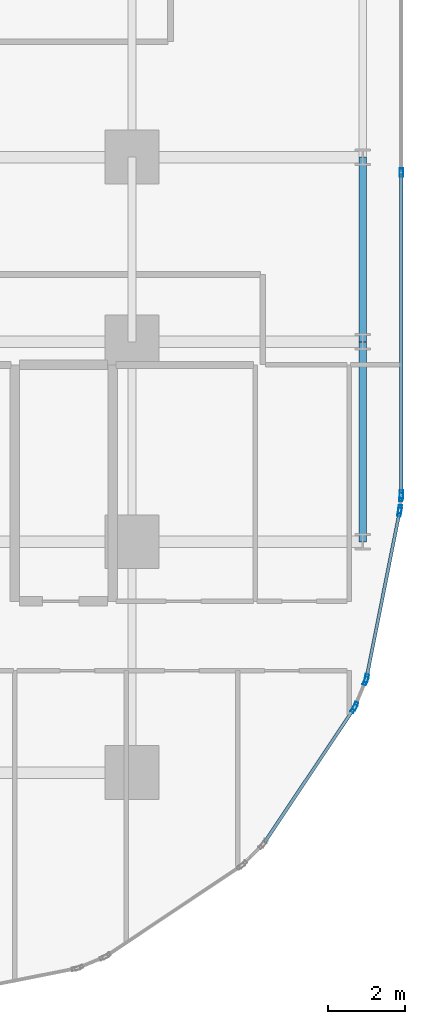
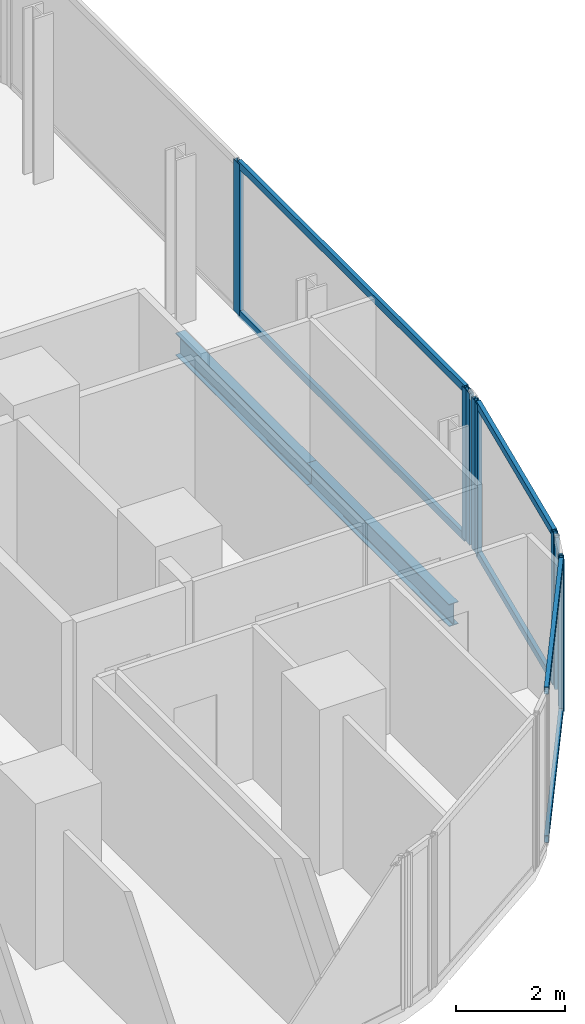
# One storey, part 18 of 33: 15 members, 2 beams, 5 elements without a shape of their own.
"""IFC4 building model written with IfcOpenShell, lengths in metres."""

from ifc_helpers import new_model, si_unit, direction, frame, origin, origin_2d, place, context, subcontext, project, spatial, hollow_rectangle, i_section, extrude, material, layer, layer_set, material_profile, profile_set, type_object, element, aggregate, save


model = new_model("IFC4")

# Units and contexts
model_context = context("Model", 3, precision=1e-05, world=origin(), true_north=direction((0.0, 1.0)))
body_context = subcontext(model_context, "Body", "Model", "MODEL_VIEW")
ifc_project = project(units=[si_unit("LENGTHUNIT", "METRE"), si_unit("AREAUNIT", "SQUARE_METRE"), si_unit("VOLUMEUNIT", "CUBIC_METRE"), si_unit("PLANEANGLEUNIT", "RADIAN"), si_unit("MASSUNIT", "GRAM", prefix="KILO")], contexts=[model_context])

# Site, building, storey
site_placement = place(None, origin())
site = spatial("IfcSite", under=ifc_project, at=site_placement, CompositionType="ELEMENT")
building_placement = place(site_placement, origin())
building = spatial("IfcBuilding", under=site, at=building_placement, Name="Keshet Zoharim Tower", CompositionType="ELEMENT")
storey_placement = place(building_placement, frame((0.0, 0.0, 27.699951171875)))
storey = spatial("IfcBuildingStorey", under=building, at=storey_placement, Name="L05", CompositionType="ELEMENT", Elevation=27.699951171875)

# Beams
ifc_material_1 = material(Name="Steel S355", Category="steel")
ifc_material_profile_1 = material_profile(ifc_material_1, i_section(OverallWidth=0.199951171875, OverallDepth=0.5, WebThickness=0.01025390625, FlangeThickness=0.01611328125, FilletRadius=0.02099609375, at=origin_2d()), Name="IPE500")
ifc_profile_set_1 = profile_set([ifc_material_profile_1], Name="Steel S355")
beam_type = type_object("IfcBeamType", Name="BM-PRI-IP500", PredefinedType="BEAM", material=ifc_profile_set_1)
beam_1_placement = place(storey_placement, frame((69.0, 12.699951171875, -0.56494140625), z_axis=(0.0, 1.0, 0.0), x_axis=(-1.0, 0.0, 0.0)))
element("IfcBeam", 1, at=beam_1_placement, inside=storey, type_object=beam_type, Name="L05 Primary Girder Y-023", PredefinedType="BEAM", context=body_context, shape_type="SweptSolid", body=[
    extrude(i_section(OverallWidth=0.199951171875, OverallDepth=0.5, WebThickness=0.01025390625, FlangeThickness=0.01611328125, FilletRadius=0.02099609375, at=origin_2d()), origin(), (0.0, 0.0, 1.0), 5.199951171875),
])
beam_2_placement = place(storey_placement, frame((69.0, 17.89990234375, -0.56494140625), z_axis=(0.0, 1.0, 0.0), x_axis=(-1.0, 0.0, 0.0)))
element("IfcBeam", 2, at=beam_2_placement, inside=storey, type_object=beam_type, Name="L05 Primary Girder Y-024", PredefinedType="BEAM", context=body_context, shape_type="SweptSolid", body=[
    extrude(i_section(OverallWidth=0.199951171875, OverallDepth=0.5, WebThickness=0.01025390625, FlangeThickness=0.01611328125, FilletRadius=0.02099609375, at=origin_2d()), origin(), (0.0, 0.0, 1.0), 4.800048828125),
])

# Curtain wall, members
ifc_material_2 = material(Name="Aluminium 6063-T6", Category="aluminium")
ifc_layer_1 = layer(ifc_material_2, 0.169921875)
ifc_layer_set_1 = layer_set([ifc_layer_1], Name="Aluminium 6063-T6")
curtain_wall_type_1 = type_object("IfcCurtainWallType", Name="CW-SYS-02", PredefinedType="NOTDEFINED", material=ifc_layer_set_1)
curtain_wall_1_placement = place(storey_placement, origin())
curtain_wall_1 = element("IfcCurtainWall", 3, at=curtain_wall_1_placement, inside=storey, type_object=curtain_wall_type_1, Name="L05 Unitised Curtain Wall 16", PredefinedType="NOTDEFINED")
ifc_material_profile_2 = material_profile(ifc_material_2, hollow_rectangle(XDim=0.090087890625, YDim=0.219970703125, WallThickness=0.0048828125, at=origin_2d()), Name="MUL-90x220")
ifc_profile_set_2 = profile_set([ifc_material_profile_2], Name="Aluminium 6063-T6")
member_type_1 = type_object("IfcMemberType", Name="CWM-M22", PredefinedType="MULLION", material=ifc_profile_set_2)
member_1_placement = place(storey_placement, frame((70.0, 22.298583984375, 0.0), z_axis=(0.0, 0.0, 1.0), x_axis=(1.0, 0.0, 0.0)))
member_1 = element("IfcMember", 4, at=member_1_placement, type_object=member_type_1, Name="CW-02 mullion 2", PredefinedType="MULLION", context=body_context, shape_type="SweptSolid", body=[
    extrude(hollow_rectangle(XDim=0.090087890625, YDim=0.219970703125, WallThickness=0.0048828125, at=origin_2d()), origin(), (0.0, 0.0, 1.0), 3.385009765625),
])
member_2_placement = place(storey_placement, frame((70.0, 13.931884765625, 0.0), z_axis=(0.0, 0.0, 1.0), x_axis=(1.0, 0.0, 0.0)))
member_2 = element("IfcMember", 5, at=member_2_placement, type_object=member_type_1, Name="CW-02 mullion 3", PredefinedType="MULLION", context=body_context, shape_type="SweptSolid", body=[
    extrude(hollow_rectangle(XDim=0.090087890625, YDim=0.219970703125, WallThickness=0.0048828125, at=origin_2d()), origin(), (0.0, 0.0, 1.0), 3.385009765625),
])

curtain_wall_2_placement = place(storey_placement, origin())
curtain_wall_2 = element("IfcCurtainWall", 6, at=curtain_wall_2_placement, inside=storey, type_object=curtain_wall_type_1, Name="L05 Unitised Curtain Wall 17", PredefinedType="NOTDEFINED")
member_3_placement = place(storey_placement, frame((69.99658203125, 13.862060546875, 0.0), z_axis=(0.0, 0.0, 1.0), x_axis=(0.995286657009, -0.096976648633, 0.0)))
member_3 = element("IfcMember", 7, at=member_3_placement, type_object=member_type_1, Name="CW-02 mullion 1", PredefinedType="MULLION", context=body_context, shape_type="SweptSolid", body=[
    extrude(hollow_rectangle(XDim=0.090087890625, YDim=0.219970703125, WallThickness=0.0048828125, at=origin_2d()), origin(), (0.0, 0.0, 1.0), 3.385009765625),
])
member_4_placement = place(storey_placement, frame((69.96533203125, 13.541748046875, 0.0), z_axis=(0.0, 0.0, 1.0), x_axis=(0.995286657009, -0.096976648633, 0.0)))
member_4 = element("IfcMember", 8, at=member_4_placement, type_object=member_type_1, Name="CW-02 mullion 2", PredefinedType="MULLION", context=body_context, shape_type="SweptSolid", body=[
    extrude(hollow_rectangle(XDim=0.090087890625, YDim=0.219970703125, WallThickness=0.0048828125, at=origin_2d()), origin(), (0.0, 0.0, 1.0), 3.385009765625),
])
aggregate(curtain_wall_2, [member_3, member_4])

curtain_wall_3_placement = place(storey_placement, origin())
curtain_wall_3 = element("IfcCurtainWall", 9, at=curtain_wall_3_placement, inside=storey, type_object=curtain_wall_type_1, Name="L05 Unitised Curtain Wall 18", PredefinedType="NOTDEFINED")
member_5_placement = place(storey_placement, frame((69.955078125, 13.47265625, 0.0), z_axis=(0.0, 0.0, 1.0), x_axis=(0.98076917357, -0.195171279072, 0.0)))
member_5 = element("IfcMember", 10, at=member_5_placement, type_object=member_type_1, Name="CW-02 mullion 1", PredefinedType="MULLION", context=body_context, shape_type="SweptSolid", body=[
    extrude(hollow_rectangle(XDim=0.090087890625, YDim=0.219970703125, WallThickness=0.0048828125, at=origin_2d()), origin(), (0.0, 0.0, 1.0), 3.385009765625),
])
member_6_placement = place(storey_placement, frame((69.0947265625, 9.1494140625, 0.0), z_axis=(0.0, 0.0, 1.0), x_axis=(0.98076917357, -0.195171279072, 0.0)))
member_6 = element("IfcMember", 11, at=member_6_placement, type_object=member_type_1, Name="CW-02 mullion 2", PredefinedType="MULLION", context=body_context, shape_type="SweptSolid", body=[
    extrude(hollow_rectangle(XDim=0.090087890625, YDim=0.219970703125, WallThickness=0.0048828125, at=origin_2d()), origin(), (0.0, 0.0, 1.0), 3.385009765625),
])

ifc_layer_2 = layer(ifc_material_2, 0.179931640625)
ifc_layer_set_2 = layer_set([ifc_layer_2], Name="Aluminium 6063-T6")
curtain_wall_type_2 = type_object("IfcCurtainWallType", Name="CW-SYS-01", PredefinedType="NOTDEFINED", material=ifc_layer_set_2)
curtain_wall_4_placement = place(storey_placement, origin())
curtain_wall_4 = element("IfcCurtainWall", 12, at=curtain_wall_4_placement, inside=storey, type_object=curtain_wall_type_2, Name="L05 Unitised Curtain Wall 19", PredefinedType="NOTDEFINED")
member_7_placement = place(storey_placement, frame((69.07470703125, 9.082763671875, 0.0), z_axis=(0.0, 0.0, 1.0), x_axis=(0.923720000557, -0.383068349739, 0.0)))
member_7 = element("IfcMember", 13, at=member_7_placement, type_object=member_type_1, Name="CW-01 mullion 1", PredefinedType="MULLION", context=body_context, shape_type="SweptSolid", body=[
    extrude(hollow_rectangle(XDim=0.090087890625, YDim=0.219970703125, WallThickness=0.0048828125, at=origin_2d()), origin(), (0.0, 0.0, 1.0), 3.385009765625),
])
member_8_placement = place(storey_placement, frame((68.802490234375, 8.42626953125, 0.0), z_axis=(0.0, 0.0, 1.0), x_axis=(0.923720000557, -0.383068349739, 0.0)))
member_8 = element("IfcMember", 14, at=member_8_placement, type_object=member_type_1, Name="CW-01 mullion 2", PredefinedType="MULLION", context=body_context, shape_type="SweptSolid", body=[
    extrude(hollow_rectangle(XDim=0.090087890625, YDim=0.219970703125, WallThickness=0.0048828125, at=origin_2d()), origin(), (0.0, 0.0, 1.0), 3.385009765625),
])
aggregate(curtain_wall_4, [member_7, member_8])

# Curtain wall, member
curtain_wall_5_placement = place(storey_placement, origin())
curtain_wall_5 = element("IfcCurtainWall", 15, at=curtain_wall_5_placement, inside=storey, type_object=curtain_wall_type_2, Name="L05 Unitised Curtain Wall 20", PredefinedType="NOTDEFINED")
member_9_placement = place(storey_placement, frame((68.76953125, 8.364990234375, 0.0), z_axis=(0.0, 0.0, 1.0), x_axis=(0.831474282335, -0.555563243758, 0.0)))
member_9 = element("IfcMember", 16, at=member_9_placement, type_object=member_type_1, Name="CW-01 mullion 1", PredefinedType="MULLION", context=body_context, shape_type="SweptSolid", body=[
    extrude(hollow_rectangle(XDim=0.090087890625, YDim=0.219970703125, WallThickness=0.0048828125, at=origin_2d()), origin(), (0.0, 0.0, 1.0), 3.385009765625),
])

# Member
ifc_material_profile_3 = material_profile(ifc_material_2, hollow_rectangle(XDim=0.0849609375, YDim=0.159912109375, WallThickness=0.00439453125, at=origin_2d()), Name="TRN-85x160")
ifc_profile_set_3 = profile_set([ifc_material_profile_3], Name="Aluminium 6063-T6")
member_type_2 = type_object("IfcMemberType", Name="CWT-T16", PredefinedType="USERDEFINED", material=ifc_profile_set_3)
member_10_placement = place(storey_placement, frame((70.0, 22.263427734375, 0.03515625), z_axis=(0.0, -1.0, 0.0), x_axis=(1.0, 0.0, 0.0)))
member_10 = element("IfcMember", 17, at=member_10_placement, type_object=member_type_2, Name="CW-02 transom 2.1", ObjectType="TRANSOM", PredefinedType="USERDEFINED", context=body_context, shape_type="SweptSolid", body=[
    extrude(hollow_rectangle(XDim=0.0849609375, YDim=0.159912109375, WallThickness=0.00439453125, at=origin_2d()), origin(), (0.0, 0.0, 1.0), 8.29638671875),
])

member_11_placement = place(storey_placement, frame((70.0, 22.263427734375, 3.35009765625), z_axis=(0.0, -1.0, 0.0), x_axis=(1.0, 0.0, 0.0)))
member_11 = element("IfcMember", 18, at=member_11_placement, type_object=member_type_2, Name="CW-02 transom 2.2", ObjectType="TRANSOM", PredefinedType="USERDEFINED", context=body_context, shape_type="SweptSolid", body=[
    extrude(hollow_rectangle(XDim=0.0849609375, YDim=0.159912109375, WallThickness=0.00439453125, at=origin_2d()), origin(), (0.0, 0.0, 1.0), 8.29638671875),
])

aggregate(curtain_wall_1, [member_1, member_2, member_10, member_11])

member_12_placement = place(storey_placement, frame((69.9482421875, 13.438232421875, 0.03515625), z_axis=(-0.195174459131, -0.980768540739, 0.0), x_axis=(0.980768540739, -0.195174459131, 0.0)))
member_12 = element("IfcMember", 19, at=member_12_placement, type_object=member_type_2, Name="CW-02 transom 1.1", ObjectType="TRANSOM", PredefinedType="USERDEFINED", context=body_context, shape_type="SweptSolid", body=[
    extrude(hollow_rectangle(XDim=0.0849609375, YDim=0.159912109375, WallThickness=0.00439453125, at=origin_2d()), origin(), (0.0, 0.0, 1.0), 4.338134765625),
])

member_13_placement = place(storey_placement, frame((69.9482421875, 13.438232421875, 3.35009765625), z_axis=(-0.195174459131, -0.980768540739, 0.0), x_axis=(0.980768540739, -0.195174459131, 0.0)))
member_13 = element("IfcMember", 20, at=member_13_placement, type_object=member_type_2, Name="CW-02 transom 1.2", ObjectType="TRANSOM", PredefinedType="USERDEFINED", context=body_context, shape_type="SweptSolid", body=[
    extrude(hollow_rectangle(XDim=0.0849609375, YDim=0.159912109375, WallThickness=0.00439453125, at=origin_2d()), origin(), (0.0, 0.0, 1.0), 4.338134765625),
])

aggregate(curtain_wall_3, [member_5, member_6, member_12, member_13])

member_14_placement = place(storey_placement, frame((68.75, 8.335693359375, 0.03515625), z_axis=(-0.55555796544, -0.831477809106, 0.0), x_axis=(0.831477809106, -0.55555796544, 0.0)))
member_14 = element("IfcMember", 21, at=member_14_placement, type_object=member_type_2, Name="CW-01 transom 1.1", ObjectType="TRANSOM", PredefinedType="USERDEFINED", context=body_context, shape_type="SweptSolid", body=[
    extrude(hollow_rectangle(XDim=0.0849609375, YDim=0.159912109375, WallThickness=0.00439453125, at=origin_2d()), origin(), (0.0, 0.0, 1.0), 4.136474609375),
])

member_15_placement = place(storey_placement, frame((68.75, 8.335693359375, 3.35009765625), z_axis=(-0.55555796544, -0.831477809106, 0.0), x_axis=(0.831477809106, -0.55555796544, 0.0)))
member_15 = element("IfcMember", 22, at=member_15_placement, type_object=member_type_2, Name="CW-01 transom 1.2", ObjectType="TRANSOM", PredefinedType="USERDEFINED", context=body_context, shape_type="SweptSolid", body=[
    extrude(hollow_rectangle(XDim=0.0849609375, YDim=0.159912109375, WallThickness=0.00439453125, at=origin_2d()), origin(), (0.0, 0.0, 1.0), 4.136474609375),
])

aggregate(curtain_wall_5, [member_9, member_14, member_15])

save(model, "model.ifc")
